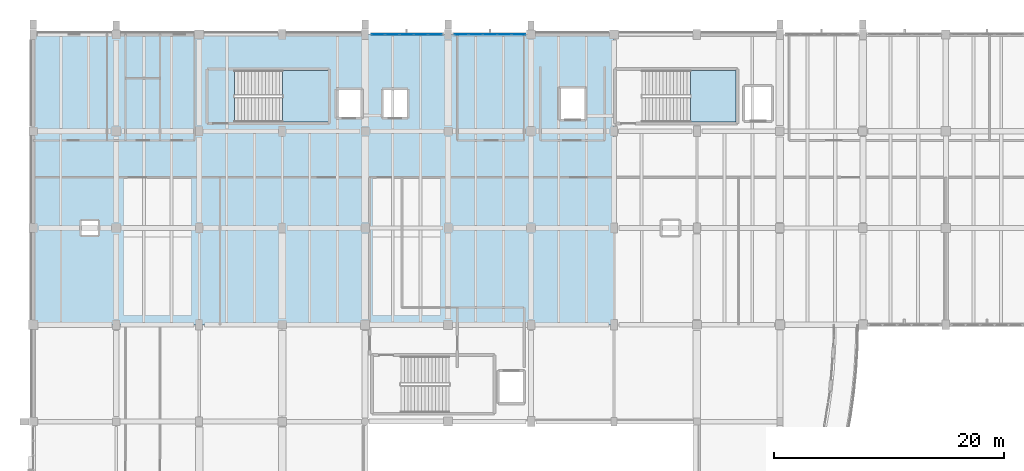
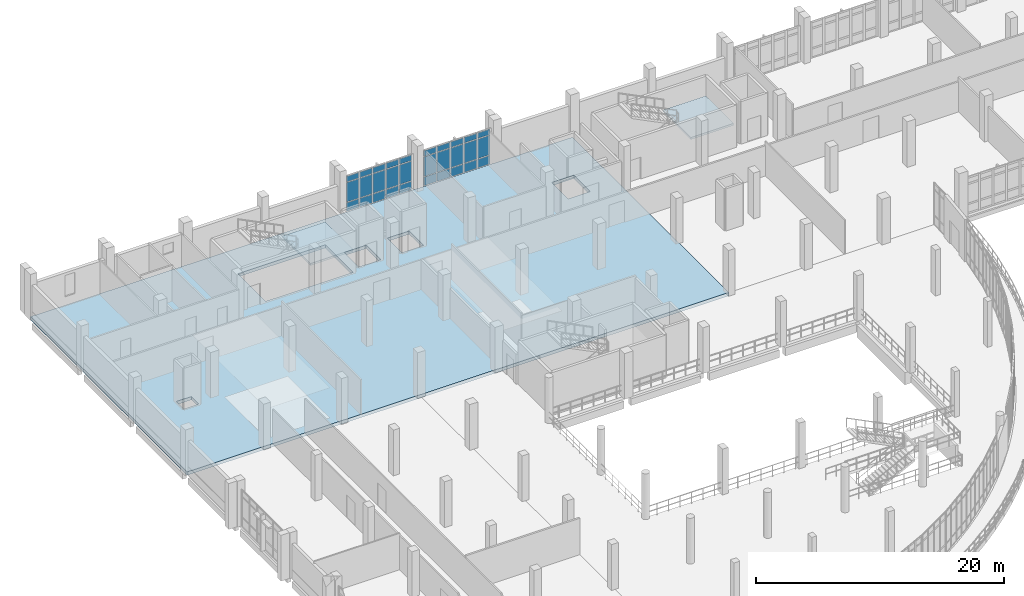
# One storey, part 99 of 124: 30 plates, 3 slabs, 4 elements without a shape of their own.
"""IFC4 building model written with IfcOpenShell, lengths in metres."""

from ifc_helpers import new_model, si_unit, direction, frame, origin, origin_2d, place, context, subcontext, project, spatial, polyline, rectangle, outline, extrude, material, layer, layer_set, type_object, element, aggregate, save


model = new_model("IFC4")

# Units and contexts
model_context = context("Model", 3, precision=1e-05, world=origin(), true_north=direction((0.0, 1.0)))
body_context = subcontext(model_context, "Body", "Model", "MODEL_VIEW")
ifc_project = project(units=[si_unit("LENGTHUNIT", "METRE"), si_unit("AREAUNIT", "SQUARE_METRE"), si_unit("VOLUMEUNIT", "CUBIC_METRE"), si_unit("PLANEANGLEUNIT", "RADIAN"), si_unit("MASSUNIT", "GRAM", prefix="KILO")], contexts=[model_context])

# Site, building, storey
site_placement = place(None, origin())
site = spatial("IfcSite", under=ifc_project, at=site_placement, CompositionType="ELEMENT")
building_placement = place(site_placement, origin())
building = spatial("IfcBuilding", under=site, at=building_placement, Name="Kalluvel Institute of Natural Sciences", CompositionType="ELEMENT")
storey_placement = place(building_placement, frame((0.0, 0.0, 9.89990234375)))
storey = spatial("IfcBuildingStorey", under=building, at=storey_placement, Name="L02", CompositionType="ELEMENT", Elevation=9.89990234375)

# Curtain wall, plates
ifc_material_1 = material(Name="Aluminium AW-6063 T6", Category="aluminium")
curtain_wall_type = type_object("IfcCurtainWallType", Name="CW-WET-45", PredefinedType="USERDEFINED", material=ifc_material_1)
curtain_wall_1_placement = place(storey_placement, origin())
curtain_wall_1 = element("IfcCurtainWall", 1, at=curtain_wall_1_placement, inside=storey, type_object=curtain_wall_type, Name="L02 Gothic lancet curtain wall CWA-L02-X433-Y1280", ObjectType="UNITISED LANCET FACADE", PredefinedType="USERDEFINED")
ifc_material_2 = material(Name="Solar-Control Low-E Laminated Glass", Category="glass")
ifc_layer_1 = layer(ifc_material_2, 0.0400390625)
ifc_layer_set_1 = layer_set([ifc_layer_1], Name="Solar-Control Low-E Laminated Glass")
plate_type = type_object("IfcPlateType", Name="CWP-SPN-40", PredefinedType="CURTAIN_PANEL", material=ifc_layer_set_1)
plate_1_placement = place(storey_placement, frame((43.9375, 128.0, 0.0703125), z_axis=(0.0, 0.0, 1.0), x_axis=(1.0, 0.0, 0.0)))
plate_1 = element("IfcPlate", 2, at=plate_1_placement, type_object=plate_type, Name="CW-01 panel 1.1", PredefinedType="CURTAIN_PANEL", context=body_context, shape_type="SweptSolid", body=[
    extrude(rectangle(XDim=1.135009765625, YDim=0.0400390625, at=origin_2d()), origin(), (0.0, 0.0, 1.0), 0.844970703125),
])
plate_2_placement = place(storey_placement, frame((43.9375, 128.0, 0.9853515625), z_axis=(0.0, 0.0, 1.0), x_axis=(1.0, 0.0, 0.0)))
plate_2 = element("IfcPlate", 3, at=plate_2_placement, type_object=plate_type, Name="CW-01 panel 1.2", PredefinedType="CURTAIN_PANEL", context=body_context, shape_type="SweptSolid", body=[
    extrude(rectangle(XDim=1.135009765625, YDim=0.0400390625, at=origin_2d()), origin(), (0.0, 0.0, 1.0), 1.909912109375),
])
plate_3_placement = place(storey_placement, frame((43.9375, 128.0, 2.965087890625), z_axis=(0.0, 0.0, 1.0), x_axis=(1.0, 0.0, 0.0)))
plate_3 = element("IfcPlate", 4, at=plate_3_placement, type_object=plate_type, Name="CW-01 panel 1.3", PredefinedType="CURTAIN_PANEL", context=body_context, shape_type="SweptSolid", body=[
    extrude(rectangle(XDim=1.135009765625, YDim=0.0400390625, at=origin_2d()), origin(), (0.0, 0.0, 1.0), 0.544921875),
])
plate_4_placement = place(storey_placement, frame((45.159912109375, 128.0, 0.0703125), z_axis=(0.0, 0.0, 1.0), x_axis=(1.0, 0.0, 0.0)))
plate_4 = element("IfcPlate", 5, at=plate_4_placement, type_object=plate_type, Name="CW-01 panel 2.1", PredefinedType="CURTAIN_PANEL", context=body_context, shape_type="SweptSolid", body=[
    extrude(rectangle(XDim=1.169921875, YDim=0.0400390625, at=origin_2d()), origin(), (0.0, 0.0, 1.0), 0.844970703125),
])
plate_5_placement = place(storey_placement, frame((45.159912109375, 128.0, 0.9853515625), z_axis=(0.0, 0.0, 1.0), x_axis=(1.0, 0.0, 0.0)))
plate_5 = element("IfcPlate", 6, at=plate_5_placement, type_object=plate_type, Name="CW-01 panel 2.2", PredefinedType="CURTAIN_PANEL", context=body_context, shape_type="SweptSolid", body=[
    extrude(rectangle(XDim=1.169921875, YDim=0.0400390625, at=origin_2d()), origin(), (0.0, 0.0, 1.0), 1.909912109375),
])
plate_6_placement = place(storey_placement, frame((45.159912109375, 128.0, 2.965087890625), z_axis=(0.0, 0.0, 1.0), x_axis=(1.0, 0.0, 0.0)))
plate_6 = element("IfcPlate", 7, at=plate_6_placement, type_object=plate_type, Name="CW-01 panel 2.3", PredefinedType="CURTAIN_PANEL", context=body_context, shape_type="SweptSolid", body=[
    extrude(rectangle(XDim=1.169921875, YDim=0.0400390625, at=origin_2d()), origin(), (0.0, 0.0, 1.0), 0.544921875),
])
plate_7_placement = place(storey_placement, frame((46.39990234375, 128.0, 0.0703125), z_axis=(0.0, 0.0, 1.0), x_axis=(1.0, 0.0, 0.0)))
plate_7 = element("IfcPlate", 8, at=plate_7_placement, type_object=plate_type, Name="CW-01 panel 3.1", PredefinedType="CURTAIN_PANEL", context=body_context, shape_type="SweptSolid", body=[
    extrude(rectangle(XDim=1.169921875, YDim=0.0400390625, at=origin_2d()), origin(), (0.0, 0.0, 1.0), 0.844970703125),
])
plate_8_placement = place(storey_placement, frame((46.39990234375, 128.0, 0.9853515625), z_axis=(0.0, 0.0, 1.0), x_axis=(1.0, 0.0, 0.0)))
plate_8 = element("IfcPlate", 9, at=plate_8_placement, type_object=plate_type, Name="CW-01 panel 3.2", PredefinedType="CURTAIN_PANEL", context=body_context, shape_type="SweptSolid", body=[
    extrude(rectangle(XDim=1.169921875, YDim=0.0400390625, at=origin_2d()), origin(), (0.0, 0.0, 1.0), 1.909912109375),
])
plate_9_placement = place(storey_placement, frame((46.39990234375, 128.0, 2.965087890625), z_axis=(0.0, 0.0, 1.0), x_axis=(1.0, 0.0, 0.0)))
plate_9 = element("IfcPlate", 10, at=plate_9_placement, type_object=plate_type, Name="CW-01 panel 3.3", PredefinedType="CURTAIN_PANEL", context=body_context, shape_type="SweptSolid", body=[
    extrude(rectangle(XDim=1.169921875, YDim=0.0400390625, at=origin_2d()), origin(), (0.0, 0.0, 1.0), 0.544921875),
])
plate_10_placement = place(storey_placement, frame((47.639892578125, 128.0, 0.0703125), z_axis=(0.0, 0.0, 1.0), x_axis=(1.0, 0.0, 0.0)))
plate_10 = element("IfcPlate", 11, at=plate_10_placement, type_object=plate_type, Name="CW-01 panel 4.1", PredefinedType="CURTAIN_PANEL", context=body_context, shape_type="SweptSolid", body=[
    extrude(rectangle(XDim=1.169921875, YDim=0.0400390625, at=origin_2d()), origin(), (0.0, 0.0, 1.0), 0.844970703125),
])
plate_11_placement = place(storey_placement, frame((47.639892578125, 128.0, 0.9853515625), z_axis=(0.0, 0.0, 1.0), x_axis=(1.0, 0.0, 0.0)))
plate_11 = element("IfcPlate", 12, at=plate_11_placement, type_object=plate_type, Name="CW-01 panel 4.2", PredefinedType="CURTAIN_PANEL", context=body_context, shape_type="SweptSolid", body=[
    extrude(rectangle(XDim=1.169921875, YDim=0.0400390625, at=origin_2d()), origin(), (0.0, 0.0, 1.0), 1.909912109375),
])
plate_12_placement = place(storey_placement, frame((47.639892578125, 128.0, 2.965087890625), z_axis=(0.0, 0.0, 1.0), x_axis=(1.0, 0.0, 0.0)))
plate_12 = element("IfcPlate", 13, at=plate_12_placement, type_object=plate_type, Name="CW-01 panel 4.3", PredefinedType="CURTAIN_PANEL", context=body_context, shape_type="SweptSolid", body=[
    extrude(rectangle(XDim=1.169921875, YDim=0.0400390625, at=origin_2d()), origin(), (0.0, 0.0, 1.0), 0.544921875),
])
plate_13_placement = place(storey_placement, frame((48.862548828125, 128.0, 0.0703125), z_axis=(0.0, 0.0, 1.0), x_axis=(1.0, 0.0, 0.0)))
plate_13 = element("IfcPlate", 14, at=plate_13_placement, type_object=plate_type, Name="CW-01 panel 5.1", PredefinedType="CURTAIN_PANEL", context=body_context, shape_type="SweptSolid", body=[
    extrude(rectangle(XDim=1.135009765625, YDim=0.0400390625, at=origin_2d()), origin(), (0.0, 0.0, 1.0), 0.844970703125),
])
plate_14_placement = place(storey_placement, frame((48.862548828125, 128.0, 0.9853515625), z_axis=(0.0, 0.0, 1.0), x_axis=(1.0, 0.0, 0.0)))
plate_14 = element("IfcPlate", 15, at=plate_14_placement, type_object=plate_type, Name="CW-01 panel 5.2", PredefinedType="CURTAIN_PANEL", context=body_context, shape_type="SweptSolid", body=[
    extrude(rectangle(XDim=1.135009765625, YDim=0.0400390625, at=origin_2d()), origin(), (0.0, 0.0, 1.0), 1.909912109375),
])
plate_15_placement = place(storey_placement, frame((48.862548828125, 128.0, 2.965087890625), z_axis=(0.0, 0.0, 1.0), x_axis=(1.0, 0.0, 0.0)))
plate_15 = element("IfcPlate", 16, at=plate_15_placement, type_object=plate_type, Name="CW-01 panel 5.3", PredefinedType="CURTAIN_PANEL", context=body_context, shape_type="SweptSolid", body=[
    extrude(rectangle(XDim=1.135009765625, YDim=0.0400390625, at=origin_2d()), origin(), (0.0, 0.0, 1.0), 0.544921875),
])
aggregate(curtain_wall_1, [plate_1, plate_2, plate_3, plate_4, plate_5, plate_6, plate_7, plate_8, plate_9, plate_10, plate_11, plate_12, plate_13, plate_14, plate_15])

curtain_wall_2_placement = place(storey_placement, origin())
curtain_wall_2 = element("IfcCurtainWall", 17, at=curtain_wall_2_placement, inside=storey, type_object=curtain_wall_type, Name="L02 Gothic lancet curtain wall CWA-L02-X505-Y1280", ObjectType="UNITISED LANCET FACADE", PredefinedType="USERDEFINED")
plate_16_placement = place(storey_placement, frame((51.14501953125, 128.0, 0.0703125), z_axis=(0.0, 0.0, 1.0), x_axis=(1.0, 0.0, 0.0)))
plate_16 = element("IfcPlate", 18, at=plate_16_placement, type_object=plate_type, Name="CW-01 panel 1.1", PredefinedType="CURTAIN_PANEL", context=body_context, shape_type="SweptSolid", body=[
    extrude(rectangle(XDim=1.14990234375, YDim=0.0400390625, at=origin_2d()), origin(), (0.0, 0.0, 1.0), 0.844970703125),
])
plate_17_placement = place(storey_placement, frame((51.14501953125, 128.0, 0.9853515625), z_axis=(0.0, 0.0, 1.0), x_axis=(1.0, 0.0, 0.0)))
plate_17 = element("IfcPlate", 19, at=plate_17_placement, type_object=plate_type, Name="CW-01 panel 1.2", PredefinedType="CURTAIN_PANEL", context=body_context, shape_type="SweptSolid", body=[
    extrude(rectangle(XDim=1.14990234375, YDim=0.0400390625, at=origin_2d()), origin(), (0.0, 0.0, 1.0), 1.909912109375),
])
plate_18_placement = place(storey_placement, frame((51.14501953125, 128.0, 2.965087890625), z_axis=(0.0, 0.0, 1.0), x_axis=(1.0, 0.0, 0.0)))
plate_18 = element("IfcPlate", 20, at=plate_18_placement, type_object=plate_type, Name="CW-01 panel 1.3", PredefinedType="CURTAIN_PANEL", context=body_context, shape_type="SweptSolid", body=[
    extrude(rectangle(XDim=1.14990234375, YDim=0.0400390625, at=origin_2d()), origin(), (0.0, 0.0, 1.0), 0.544921875),
])
plate_19_placement = place(storey_placement, frame((52.382568359375, 128.0, 0.0703125), z_axis=(0.0, 0.0, 1.0), x_axis=(1.0, 0.0, 0.0)))
plate_19 = element("IfcPlate", 21, at=plate_19_placement, type_object=plate_type, Name="CW-01 panel 2.1", PredefinedType="CURTAIN_PANEL", context=body_context, shape_type="SweptSolid", body=[
    extrude(rectangle(XDim=1.18505859375, YDim=0.0400390625, at=origin_2d()), origin(), (0.0, 0.0, 1.0), 0.844970703125),
])
plate_20_placement = place(storey_placement, frame((52.382568359375, 128.0, 0.9853515625), z_axis=(0.0, 0.0, 1.0), x_axis=(1.0, 0.0, 0.0)))
plate_20 = element("IfcPlate", 22, at=plate_20_placement, type_object=plate_type, Name="CW-01 panel 2.2", PredefinedType="CURTAIN_PANEL", context=body_context, shape_type="SweptSolid", body=[
    extrude(rectangle(XDim=1.18505859375, YDim=0.0400390625, at=origin_2d()), origin(), (0.0, 0.0, 1.0), 1.909912109375),
])
plate_21_placement = place(storey_placement, frame((52.382568359375, 128.0, 2.965087890625), z_axis=(0.0, 0.0, 1.0), x_axis=(1.0, 0.0, 0.0)))
plate_21 = element("IfcPlate", 23, at=plate_21_placement, type_object=plate_type, Name="CW-01 panel 2.3", PredefinedType="CURTAIN_PANEL", context=body_context, shape_type="SweptSolid", body=[
    extrude(rectangle(XDim=1.18505859375, YDim=0.0400390625, at=origin_2d()), origin(), (0.0, 0.0, 1.0), 0.544921875),
])
plate_22_placement = place(storey_placement, frame((53.637451171875, 128.0, 0.0703125), z_axis=(0.0, 0.0, 1.0), x_axis=(1.0, 0.0, 0.0)))
plate_22 = element("IfcPlate", 24, at=plate_22_placement, type_object=plate_type, Name="CW-01 panel 3.1", PredefinedType="CURTAIN_PANEL", context=body_context, shape_type="SweptSolid", body=[
    extrude(rectangle(XDim=1.18505859375, YDim=0.0400390625, at=origin_2d()), origin(), (0.0, 0.0, 1.0), 0.844970703125),
])
plate_23_placement = place(storey_placement, frame((53.637451171875, 128.0, 0.9853515625), z_axis=(0.0, 0.0, 1.0), x_axis=(1.0, 0.0, 0.0)))
plate_23 = element("IfcPlate", 25, at=plate_23_placement, type_object=plate_type, Name="CW-01 panel 3.2", PredefinedType="CURTAIN_PANEL", context=body_context, shape_type="SweptSolid", body=[
    extrude(rectangle(XDim=1.18505859375, YDim=0.0400390625, at=origin_2d()), origin(), (0.0, 0.0, 1.0), 1.909912109375),
])
plate_24_placement = place(storey_placement, frame((53.637451171875, 128.0, 2.965087890625), z_axis=(0.0, 0.0, 1.0), x_axis=(1.0, 0.0, 0.0)))
plate_24 = element("IfcPlate", 26, at=plate_24_placement, type_object=plate_type, Name="CW-01 panel 3.3", PredefinedType="CURTAIN_PANEL", context=body_context, shape_type="SweptSolid", body=[
    extrude(rectangle(XDim=1.18505859375, YDim=0.0400390625, at=origin_2d()), origin(), (0.0, 0.0, 1.0), 0.544921875),
])
plate_25_placement = place(storey_placement, frame((54.892578125, 128.0, 0.0703125), z_axis=(0.0, 0.0, 1.0), x_axis=(1.0, 0.0, 0.0)))
plate_25 = element("IfcPlate", 27, at=plate_25_placement, type_object=plate_type, Name="CW-01 panel 4.1", PredefinedType="CURTAIN_PANEL", context=body_context, shape_type="SweptSolid", body=[
    extrude(rectangle(XDim=1.18505859375, YDim=0.0400390625, at=origin_2d()), origin(), (0.0, 0.0, 1.0), 0.844970703125),
])
plate_26_placement = place(storey_placement, frame((54.892578125, 128.0, 0.9853515625), z_axis=(0.0, 0.0, 1.0), x_axis=(1.0, 0.0, 0.0)))
plate_26 = element("IfcPlate", 28, at=plate_26_placement, type_object=plate_type, Name="CW-01 panel 4.2", PredefinedType="CURTAIN_PANEL", context=body_context, shape_type="SweptSolid", body=[
    extrude(rectangle(XDim=1.18505859375, YDim=0.0400390625, at=origin_2d()), origin(), (0.0, 0.0, 1.0), 1.909912109375),
])
plate_27_placement = place(storey_placement, frame((54.892578125, 128.0, 2.965087890625), z_axis=(0.0, 0.0, 1.0), x_axis=(1.0, 0.0, 0.0)))
plate_27 = element("IfcPlate", 29, at=plate_27_placement, type_object=plate_type, Name="CW-01 panel 4.3", PredefinedType="CURTAIN_PANEL", context=body_context, shape_type="SweptSolid", body=[
    extrude(rectangle(XDim=1.18505859375, YDim=0.0400390625, at=origin_2d()), origin(), (0.0, 0.0, 1.0), 0.544921875),
])
plate_28_placement = place(storey_placement, frame((56.1298828125, 128.0, 0.0703125), z_axis=(0.0, 0.0, 1.0), x_axis=(1.0, 0.0, 0.0)))
plate_28 = element("IfcPlate", 30, at=plate_28_placement, type_object=plate_type, Name="CW-01 panel 5.1", PredefinedType="CURTAIN_PANEL", context=body_context, shape_type="SweptSolid", body=[
    extrude(rectangle(XDim=1.14990234375, YDim=0.0400390625, at=origin_2d()), origin(), (0.0, 0.0, 1.0), 0.844970703125),
])
plate_29_placement = place(storey_placement, frame((56.1298828125, 128.0, 0.9853515625), z_axis=(0.0, 0.0, 1.0), x_axis=(1.0, 0.0, 0.0)))
plate_29 = element("IfcPlate", 31, at=plate_29_placement, type_object=plate_type, Name="CW-01 panel 5.2", PredefinedType="CURTAIN_PANEL", context=body_context, shape_type="SweptSolid", body=[
    extrude(rectangle(XDim=1.14990234375, YDim=0.0400390625, at=origin_2d()), origin(), (0.0, 0.0, 1.0), 1.909912109375),
])
plate_30_placement = place(storey_placement, frame((56.1298828125, 128.0, 2.965087890625), z_axis=(0.0, 0.0, 1.0), x_axis=(1.0, 0.0, 0.0)))
plate_30 = element("IfcPlate", 32, at=plate_30_placement, type_object=plate_type, Name="CW-01 panel 5.3", PredefinedType="CURTAIN_PANEL", context=body_context, shape_type="SweptSolid", body=[
    extrude(rectangle(XDim=1.14990234375, YDim=0.0400390625, at=origin_2d()), origin(), (0.0, 0.0, 1.0), 0.544921875),
])
aggregate(curtain_wall_2, [plate_16, plate_17, plate_18, plate_19, plate_20, plate_21, plate_22, plate_23, plate_24, plate_25, plate_26, plate_27, plate_28, plate_29, plate_30])

# Slab
ifc_material_3 = material(Name="Concrete M40", Category="concrete")
ifc_layer_2 = layer(ifc_material_3, 0.320068359375)
ifc_layer_set_2 = layer_set([ifc_layer_2], Name="Concrete M40")
slab_type_1 = type_object("IfcSlabType", Name="SLB-WET-320", PredefinedType="FLOOR", material=ifc_layer_set_2)
slab_1_placement = place(storey_placement, frame((0.0, 0.0, -0.31982421875)))
element("IfcSlab", 33, at=slab_1_placement, inside=storey, type_object=slab_type_1, Name="L02 Wet Laboratory Waffle Floor Slab W", PredefinedType="FLOOR", context=body_context, shape_type="SweptSolid", body=[
    extrude(outline(polyline([(14.0, 102.800048828125), (64.39990234375, 102.800048828125), (64.39990234375, 128.0), (14.0, 128.0), (14.0, 102.800048828125)]), holes=[polyline([(61.820068359375, 120.679931640625), (59.780029296875, 120.679931640625), (59.780029296875, 123.320068359375), (61.820068359375, 123.320068359375), (61.820068359375, 120.679931640625)]), polyline([(46.419921875, 123.169921875), (46.419921875, 120.830078125), (44.3798828125, 120.830078125), (44.3798828125, 123.169921875), (46.419921875, 123.169921875)]), polyline([(42.419921875, 123.169921875), (42.419921875, 120.830078125), (40.3798828125, 120.830078125), (40.3798828125, 123.169921875), (42.419921875, 123.169921875)]), polyline([(39.60009765625, 120.39990234375), (31.468017578125, 120.39990234375), (31.468017578125, 124.8701171875), (39.60009765625, 124.8701171875), (39.60009765625, 120.39990234375)]), polyline([(19.60009765625, 111.800048828125), (19.60009765625, 110.60009765625), (18.199951171875, 110.60009765625), (18.199951171875, 111.800048828125), (19.60009765625, 111.800048828125)])]), origin(), (0.0, 0.0, 1.0), 0.31982421875),
])

# Stair, slab
stair_type = type_object("IfcStairType", Name="STR-ST12-45", PredefinedType="HALF_TURN_STAIR", material=ifc_material_3)
stair_1_placement = place(storey_placement, origin())
stair_1 = element("IfcStair", 34, at=stair_1_placement, inside=storey, type_object=stair_type, Name="L02 Wet Wing West Protected Exit Stair ST1", PredefinedType="HALF_TURN_STAIR")
ifc_layer_3 = layer(ifc_material_3, 0.199951171875)
ifc_layer_set_3 = layer_set([ifc_layer_3], Name="Concrete M40")
slab_type_2 = type_object("IfcSlabType", Name="SLD-ST12", PredefinedType="LANDING", material=ifc_layer_set_3)
slab_2_placement = place(storey_placement, frame((0.0, 0.0, 2.050048828125)))
slab_2 = element("IfcSlab", 35, at=slab_2_placement, type_object=slab_type_2, Name="S1-45 landing 1", PredefinedType="LANDING", context=body_context, shape_type="SweptSolid", body=[
    extrude(outline(polyline([(35.632080078125, 120.39990234375), (39.60009765625, 120.39990234375), (39.60009765625, 124.8701171875), (35.632080078125, 124.8701171875), (35.632080078125, 120.39990234375)])), origin(), (0.0, 0.0, 1.0), 0.199951171875),
])
aggregate(stair_1, [slab_2])

stair_2_placement = place(storey_placement, origin())
stair_2 = element("IfcStair", 36, at=stair_2_placement, inside=storey, type_object=stair_type, Name="L02 Wet Wing East Protected Exit Stair ST2", PredefinedType="HALF_TURN_STAIR")
slab_3_placement = place(storey_placement, frame((0.0, 0.0, 2.050048828125)))
slab_3 = element("IfcSlab", 37, at=slab_3_placement, type_object=slab_type_2, Name="S1-45 landing 1", PredefinedType="LANDING", context=body_context, shape_type="SweptSolid", body=[
    extrude(outline(polyline([(71.031982421875, 120.39990234375), (75.0, 120.39990234375), (75.0, 124.8701171875), (71.031982421875, 124.8701171875), (71.031982421875, 120.39990234375)])), origin(), (0.0, 0.0, 1.0), 0.199951171875),
])
aggregate(stair_2, [slab_3])

save(model, "model.ifc")
